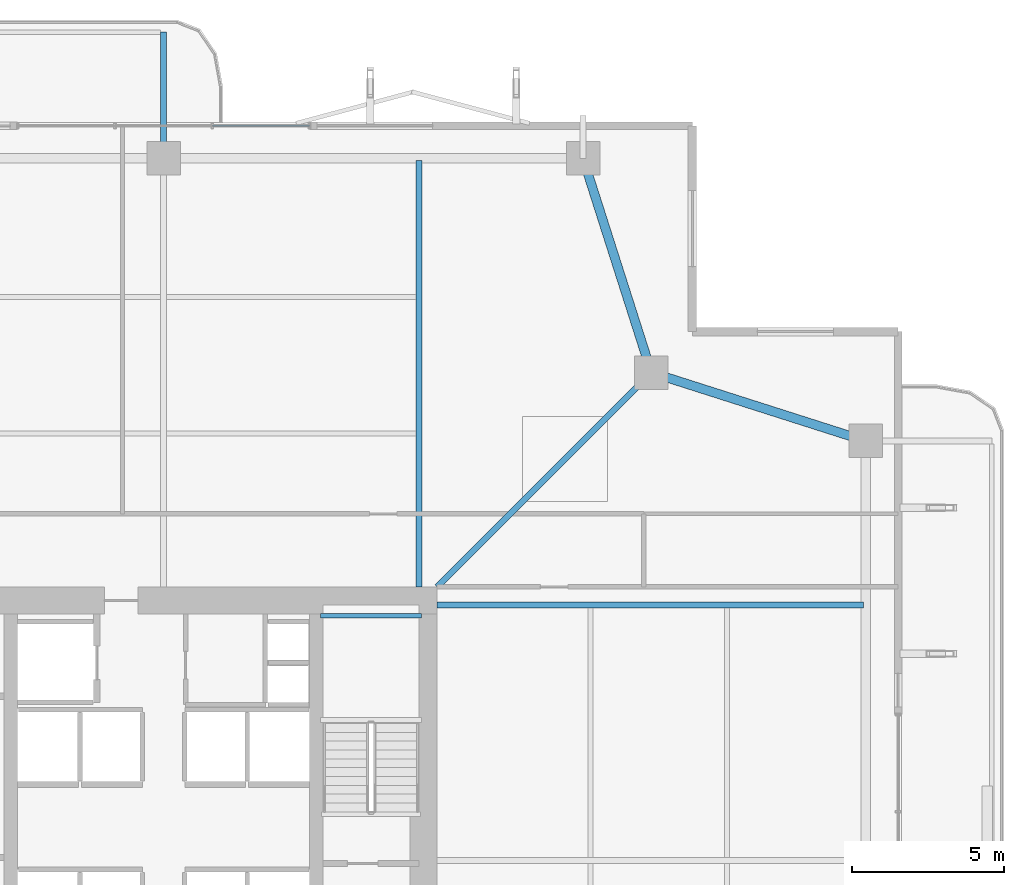
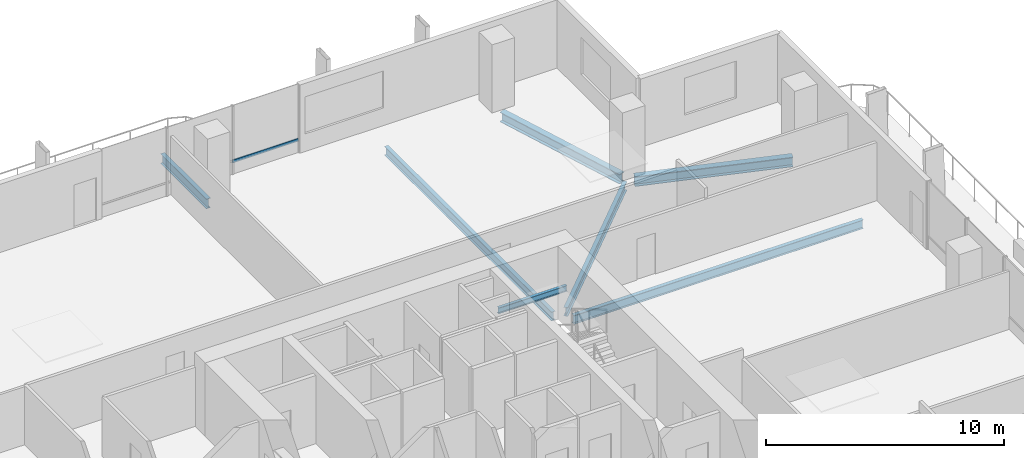
# One storey, part 14 of 23: 7 beams, 1 member, 1 element without a shape of its own.
"""IFC4 building model written with IfcOpenShell, lengths in metres."""

from ifc_helpers import new_model, si_unit, direction, frame, origin, origin_2d, place, context, subcontext, project, spatial, hollow_rectangle, i_section, extrude, material, layer, layer_set, material_profile, profile_set, type_object, element, aggregate, save


model = new_model("IFC4")

# Units and contexts
model_context = context("Model", 3, precision=1e-05, world=origin(), true_north=direction((0.0, 1.0)))
body_context = subcontext(model_context, "Body", "Model", "MODEL_VIEW")
ifc_project = project(units=[si_unit("LENGTHUNIT", "METRE"), si_unit("AREAUNIT", "SQUARE_METRE"), si_unit("VOLUMEUNIT", "CUBIC_METRE"), si_unit("PLANEANGLEUNIT", "RADIAN"), si_unit("MASSUNIT", "GRAM", prefix="KILO")], contexts=[model_context])

# Site, building, storey
site_placement = place(None, origin())
site = spatial("IfcSite", under=ifc_project, at=site_placement, CompositionType="ELEMENT")
building_placement = place(site_placement, origin())
building = spatial("IfcBuilding", under=site, at=building_placement, Name="Belovzor Exchange Tower", CompositionType="ELEMENT")
storey_placement = place(building_placement, frame((0.0, 0.0, 157.050048828125)))
storey = spatial("IfcBuildingStorey", under=building, at=storey_placement, Name="L38", CompositionType="ELEMENT", Elevation=157.050048828125)

# Beams
ifc_material_1 = material(Name="Steel S355", Category="steel")
ifc_material_profile_1 = material_profile(ifc_material_1, i_section(OverallWidth=0.199951171875, OverallDepth=0.5, WebThickness=0.01025390625, FlangeThickness=0.01611328125, at=origin_2d()))
ifc_profile_set_1 = profile_set([ifc_material_profile_1], Name="Steel S355")
beam_type_1 = type_object("IfcBeamType", Name="Planted Balcony Cantilever Beam IPE 500", PredefinedType="BEAM", material=ifc_profile_set_1)
beam_1_placement = place(storey_placement, frame((28.800048828125, 52.202880859375, -0.505126953125), z_axis=(0.0, 1.0, 0.0), x_axis=(-1.0, 0.0, 0.0)))
element("IfcBeam", 1, at=beam_1_placement, inside=storey, type_object=beam_type_1, Name="BC-500 Planted Balcony Cantilever Beam IPE 500", PredefinedType="BEAM", context=body_context, shape_type="SweptSolid", body=[
    extrude(i_section(OverallWidth=0.199951171875, OverallDepth=0.5, WebThickness=0.01025390625, FlangeThickness=0.01611328125, at=origin_2d()), origin(), (0.0, 0.0, 1.0), 3.85009765625),
])
ifc_material_2 = material(Name="Steel S355", Category="steel")
ifc_material_profile_2 = material_profile(ifc_material_2, i_section(OverallWidth=0.14990234375, OverallDepth=0.300048828125, WebThickness=0.007080078125, FlangeThickness=0.0107421875, at=origin_2d()))
ifc_profile_set_2 = profile_set([ifc_material_profile_2], Name="Steel S355")
beam_type_2 = type_object("IfcBeamType", Name="Secondary Trim Floor Joist IPE 300", PredefinedType="BEAM", material=ifc_profile_set_2)
beam_2_placement = place(storey_placement, frame((37.280029296875, 36.85009765625, 1.52490234375), z_axis=(-1.0, 0.0, 0.0), x_axis=(0.0, -1.0, 0.0)))
element("IfcBeam", 2, at=beam_2_placement, inside=storey, type_object=beam_type_2, Name="FJ-300 Secondary Trim Floor Joist IPE 300", PredefinedType="BEAM", context=body_context, shape_type="SweptSolid", body=[
    extrude(i_section(OverallWidth=0.14990234375, OverallDepth=0.300048828125, WebThickness=0.007080078125, FlangeThickness=0.0107421875, at=origin_2d()), origin(), (0.0, 0.0, 1.0), 3.31005859375),
])

# Curtain wall, member
ifc_material_3 = material(Name="Anodised Aluminium Framing", Category="aluminium")
ifc_layer = layer(ifc_material_3, 0.179931640625)
ifc_layer_set = layer_set([ifc_layer], Name="Anodised Aluminium Framing")
curtain_wall_type = type_object("IfcCurtainWallType", Name="Recessed Loggia Low-Iron Triple-Glazed Curtain Wall", PredefinedType="NOTDEFINED", material=ifc_layer_set)
curtain_wall_placement = place(storey_placement, origin())
curtain_wall = element("IfcCurtainWall", 3, at=curtain_wall_placement, inside=storey, type_object=curtain_wall_type, Name="CW3 Recessed Loggia Low-Iron Triple-Glazed Curtain Wall L38", PredefinedType="NOTDEFINED")
ifc_material_4 = material(Name="Steel S355", Category="steel")
ifc_material_profile_3 = material_profile(ifc_material_4, hollow_rectangle(XDim=0.06005859375, YDim=0.14990234375, WallThickness=0.00390625, at=origin_2d()))
ifc_profile_set_3 = profile_set([ifc_material_profile_3], Name="Steel S355")
member_type = type_object("IfcMemberType", Name="Thermally Broken Curtain Wall Transom 150x60", PredefinedType="USERDEFINED", material=ifc_profile_set_3)
member_placement = place(storey_placement, frame((30.407958984375, 52.969970703125, 0.62890625), z_axis=(1.0, 0.0, 0.0), x_axis=(0.0, 1.0, 0.0)))
member = element("IfcMember", 4, at=member_placement, type_object=member_type, Name="CW-T150 Curtain Wall Transom 3", ObjectType="TRANSOM", PredefinedType="USERDEFINED", context=body_context, shape_type="SweptSolid", body=[
    extrude(hollow_rectangle(XDim=0.06005859375, YDim=0.14990234375, WallThickness=0.00390625, at=origin_2d()), origin(), (0.0, 0.0, 1.0), 3.18408203125),
])
aggregate(curtain_wall, [member])

# Beams
ifc_material_5 = material(Name="Steel S355", Category="steel")
ifc_material_profile_4 = material_profile(ifc_material_5, i_section(OverallWidth=0.18994140625, OverallDepth=0.449951171875, WebThickness=0.009521484375, FlangeThickness=0.0146484375, at=origin_2d()))
ifc_profile_set_4 = profile_set([ifc_material_profile_4], Name="Steel S355")
beam_type_3 = type_object("IfcBeamType", Name="Zone 2-4 Radial Composite Floor Beam IPE 450", PredefinedType="BEAM", material=ifc_profile_set_4)
for number, where, z_axis, x_axis, name in (
    (5, (37.199951171875, 37.800048828125, -0.47998046875), (0.0, 1.0, 0.0), (-1.0, 0.0, 0.0), "FB-450 Zone 2-4 Radial Composite Floor Beam IPE 450"),
    (6, (37.800048828125, 37.199951171875, -0.47998046875), (1.0, 0.0, 0.0), (0.0, 1.0, 0.0), "FB-450 Zone 2-4 Radial Composite Floor Beam IPE 450"),
):
    element("IfcBeam", number, at=place(storey_placement, frame(where, z_axis=z_axis, x_axis=x_axis)), inside=storey, type_object=beam_type_3, Name=name, PredefinedType="BEAM", context=body_context, shape_type="SweptSolid", body=[
        extrude(i_section(OverallWidth=0.18994140625, OverallDepth=0.449951171875, WebThickness=0.009521484375, FlangeThickness=0.0146484375, at=origin_2d()), origin(), (0.0, 0.0, 1.0), 14.02490234375),
    ])
beam_3_placement = place(storey_placement, frame((37.800048828125, 37.800048828125, -0.47998046875), z_axis=(0.707106781187, 0.707106781187, 0.0), x_axis=(-0.707106781187, 0.707106781187, 0.0)))
element("IfcBeam", 7, at=beam_3_placement, inside=storey, type_object=beam_type_3, Name="FB-450 Zone 2-4 Radial Composite Floor Beam IPE 450", PredefinedType="BEAM", context=body_context, shape_type="SweptSolid", body=[
    extrude(i_section(OverallWidth=0.18994140625, OverallDepth=0.449951171875, WebThickness=0.009521484375, FlangeThickness=0.0146484375, at=origin_2d()), origin(), (0.0, 0.0, 1.0), 9.5810546875),
])
ifc_material_6 = material(Name="Steel S355", Category="steel")
ifc_material_profile_5 = material_profile(ifc_material_6, i_section(OverallWidth=0.300048828125, OverallDepth=0.5, WebThickness=0.014404296875, FlangeThickness=0.028076171875, at=origin_2d()))
ifc_profile_set_5 = profile_set([ifc_material_profile_5], Name="Steel S355")
beam_type_4 = type_object("IfcBeamType", Name="Zone 3 Waist Primary Girder HEB 500", PredefinedType="BEAM", material=ifc_profile_set_5)
for number, where, z_axis, x_axis, name in (
    (8, (51.612060546875, 42.69189453125, -0.505126953125), (-0.952661203756, 0.304033930439, 0.0), (-0.304033930439, -0.952661203756, 0.0), "FG-Z3 Zone 3 Waist Primary Girder HEB 500"),
    (9, (44.758056640625, 45.137939453125, -0.505126953125), (-0.304033930439, 0.952661203756, 0.0), (-0.952661203756, -0.304033930439, 0.0), "FG-Z3 Zone 3 Waist Primary Girder HEB 500"),
):
    element("IfcBeam", number, at=place(storey_placement, frame(where, z_axis=z_axis, x_axis=x_axis)), inside=storey, type_object=beam_type_4, Name=name, PredefinedType="BEAM", context=body_context, shape_type="SweptSolid", body=[
        extrude(i_section(OverallWidth=0.300048828125, OverallDepth=0.5, WebThickness=0.014404296875, FlangeThickness=0.028076171875, at=origin_2d()), origin(), (0.0, 0.0, 1.0), 6.7958984375),
    ])

save(model, "model.ifc")
